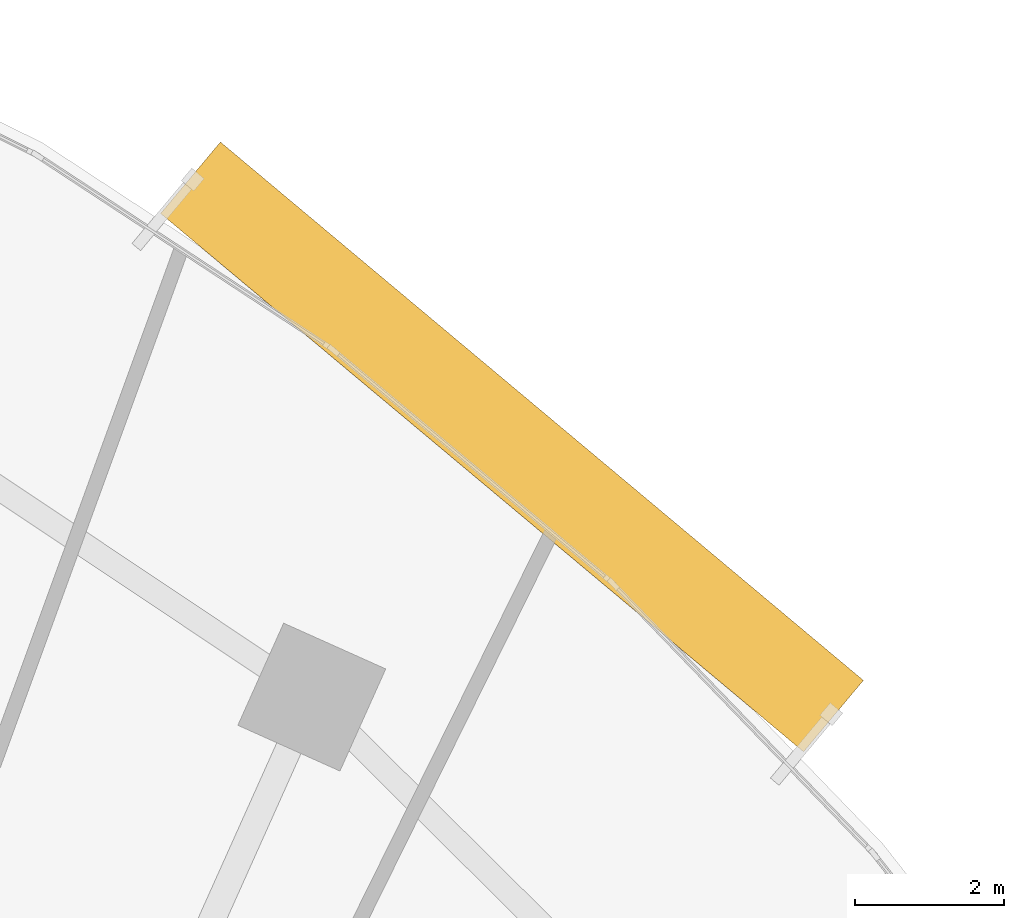
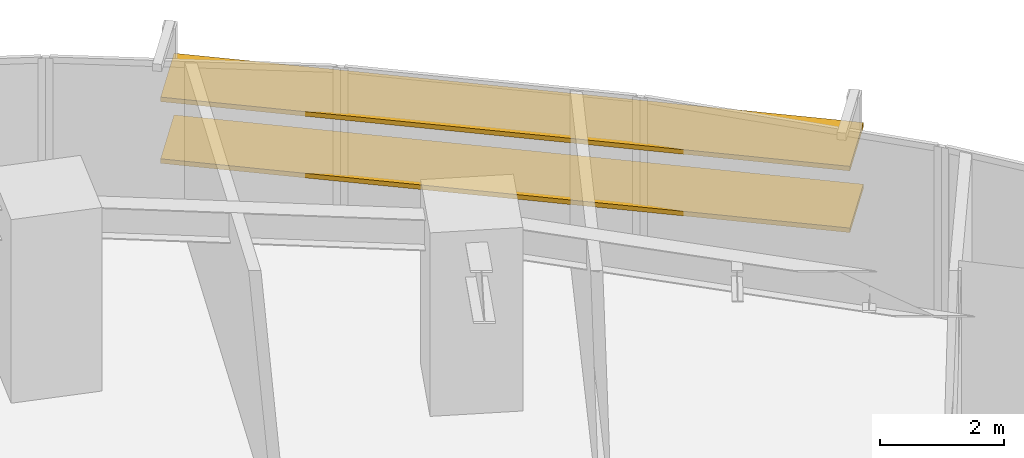
# One storey, part 18 of 18: 2 shading devices.
"""IFC4 building model written with IfcOpenShell, lengths in metres."""

from ifc_helpers import new_model, si_unit, direction, frame, origin, origin_2d, place, context, subcontext, project, spatial, rectangle, extrude, source, transform, mapped, material, material_profile, profile_set, type_object, element, save


model = new_model("IFC4")

# Units and contexts
model_context = context("Model", 3, precision=1e-05, world=origin(), true_north=direction((0.0, 1.0)))
body_context = subcontext(model_context, "Body", "Model", "MODEL_VIEW")
ifc_project = project(units=[si_unit("LENGTHUNIT", "METRE"), si_unit("AREAUNIT", "SQUARE_METRE"), si_unit("VOLUMEUNIT", "CUBIC_METRE"), si_unit("PLANEANGLEUNIT", "RADIAN"), si_unit("MASSUNIT", "GRAM", prefix="KILO")], contexts=[model_context])

# Site, building, storey
site_placement = place(None, origin())
site = spatial("IfcSite", under=ifc_project, at=site_placement, CompositionType="ELEMENT")
building_placement = place(site_placement, origin())
building = spatial("IfcBuilding", under=site, at=building_placement, Name="Breltana Convention Tower", CompositionType="ELEMENT")
storey_placement = place(building_placement, frame((0.0, 0.0, 35.39990234375)))
storey = spatial("IfcBuildingStorey", under=building, at=storey_placement, Name="L06", CompositionType="ELEMENT", Elevation=35.39990234375)

# Shading devices
ifc_material = material(Name="Limestone Warm Buff Honed", Category="masonry")
ifc_material_profile = material_profile(ifc_material, rectangle(XDim=1.25, YDim=0.090087890625, at=origin_2d()), Name="STN-LVR-1250X90")
ifc_profile_set = profile_set([ifc_material_profile], Name="Limestone Warm Buff Honed")
shading_device_type = type_object("IfcShadingDeviceType", Name="SHD-OUTER-SKIN-LIMESTONE-1250", PredefinedType="JALOUSIE", material=ifc_profile_set)
shared_shape = source(origin(), body_context, "Body", "SweptSolid", [
    extrude(rectangle(XDim=1.25, YDim=0.090087890625, at=origin_2d()), origin(), (0.0, 0.0, 1.0), 11.246337890625),
])
for number, where, z_axis, x_axis, name in (
    (1, (67.28369140625, 75.598388671875, 1.209716796875), (0.766719155588, -0.641982660556, 0.0), (0.641982660556, 0.766719155588, 0.0), "L06 outer skin warm limestone louvre 2.1"),
    (2, (67.28369140625, 75.598388671875, 2.419189453125), (0.766719155588, -0.641982660556, 0.0), (0.641982660556, 0.766719155588, 0.0), "L06 outer skin warm limestone louvre 2.2"),
):
    element("IfcShadingDevice", number, at=place(storey_placement, frame(where, z_axis=z_axis, x_axis=x_axis)), inside=storey, type_object=shading_device_type, Name=name, PredefinedType="JALOUSIE", context=body_context, shape_type="MappedRepresentation", body=[
        mapped(shared_shape, transform((0.0, 0.0, 0.0), scale=1.0)),
    ])

save(model, "model.ifc")
